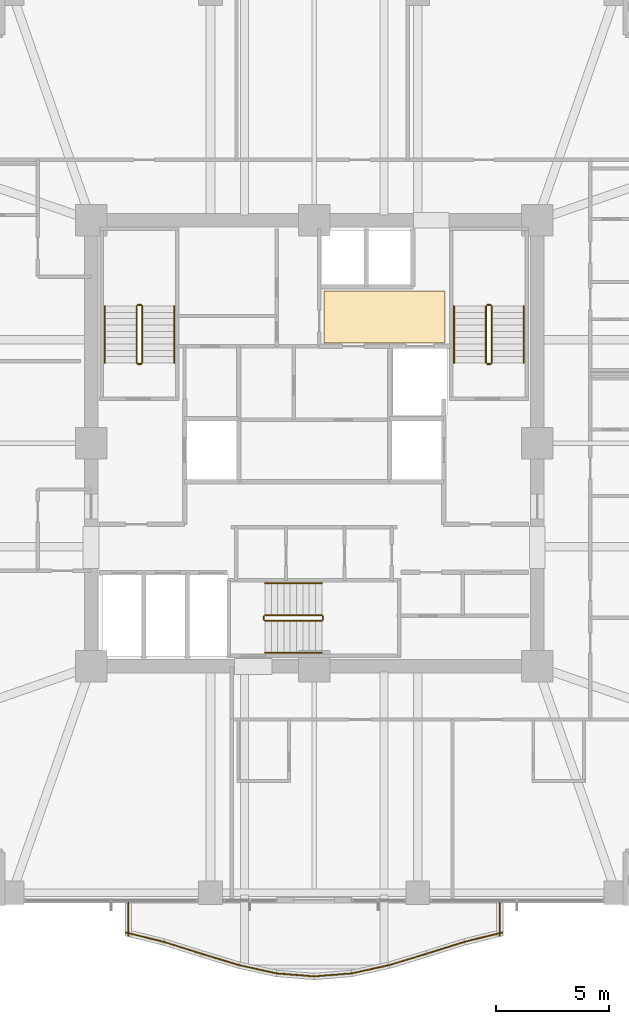
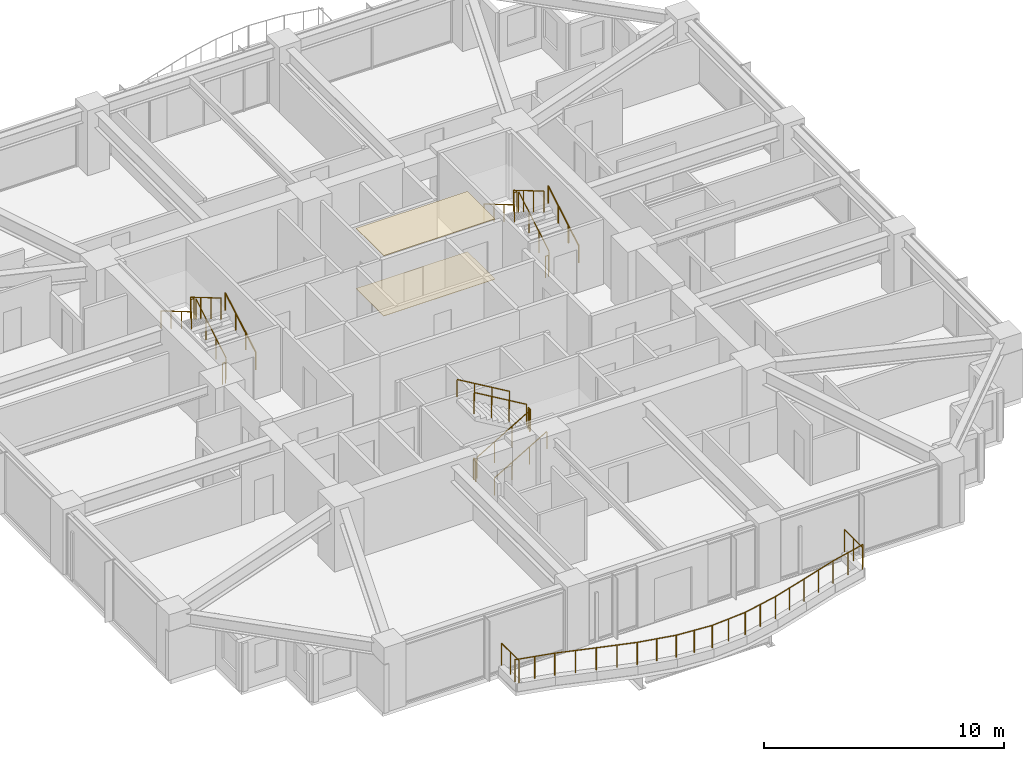
# One storey, part 37 of 38: 30 railings, 2 coverings.
"""IFC4 building model written with IfcOpenShell, lengths in metres."""

from ifc_helpers import new_model, si_unit, direction, frame, origin, origin_2d, place, context, subcontext, project, spatial, polyline, circle, outline, extrude, material, layer, layer_set, type_object, element, save


model = new_model("IFC4")

# Units and contexts
model_context = context("Model", 3, precision=1e-05, world=origin(), true_north=direction((0.0, 1.0)))
body_context = subcontext(model_context, "Body", "Model", "MODEL_VIEW")
ifc_project = project(units=[si_unit("LENGTHUNIT", "METRE"), si_unit("AREAUNIT", "SQUARE_METRE"), si_unit("VOLUMEUNIT", "CUBIC_METRE"), si_unit("PLANEANGLEUNIT", "RADIAN"), si_unit("MASSUNIT", "GRAM", prefix="KILO")], contexts=[model_context])

# Site, building, storey
site_placement = place(None, origin())
site = spatial("IfcSite", under=ifc_project, at=site_placement, CompositionType="ELEMENT")
building_placement = place(site_placement, origin())
building = spatial("IfcBuilding", under=site, at=building_placement, Name="Kolvaren Belvedere", CompositionType="ELEMENT")
storey_placement = place(building_placement, frame((0.0, 0.0, 98.60009765625)))
storey = spatial("IfcBuildingStorey", under=building, at=storey_placement, Name="L28", CompositionType="ELEMENT", Elevation=98.60009765625)

# Coverings
ifc_material_1 = material(Name="Acoustic perforated gypsum board", Category="gypsum")
ifc_layer_1 = layer(ifc_material_1, 0.02490234375)
ifc_layer_set_1 = layer_set([ifc_layer_1], Name="Acoustic perforated gypsum board")
covering_type_1 = type_object("IfcCoveringType", Name="COV-CEIL-GYP", PredefinedType="CEILING", material=ifc_layer_set_1)
covering_1_placement = place(storey_placement, frame((0.0, 0.0, 3.054931640625)))
element("IfcCovering", 1, at=covering_1_placement, inside=storey, type_object=covering_type_1, Name="L28 Lift Lobby Acoustic Baffle Ceiling", PredefinedType="CEILING", context=body_context, shape_type="SweptSolid", body=[
    extrude(outline(polyline([(0.449951171875, 4.449951171875), (5.800048828125, 4.449951171875), (5.800048828125, 6.75), (0.449951171875, 6.75), (0.449951171875, 4.449951171875)])), origin(), (0.0, 0.0, 1.0), 0.02490234375),
])
ifc_material_2 = material(Name="Engineered Pacific white oak", Category="timber")
ifc_layer_2 = layer(ifc_material_2, 0.02001953125)
ifc_layer_set_2 = layer_set([ifc_layer_2], Name="Engineered Pacific white oak")
covering_type_2 = type_object("IfcCoveringType", Name="COV-FLR-OAK", PredefinedType="FLOORING", material=ifc_layer_set_2)
covering_2_placement = place(storey_placement, origin())
element("IfcCovering", 2, at=covering_2_placement, inside=storey, type_object=covering_type_2, Name="L28 Lift Lobby Finish Flooring", PredefinedType="FLOORING", context=body_context, shape_type="SweptSolid", body=[
    extrude(outline(polyline([(0.449951171875, 4.449951171875), (5.800048828125, 4.449951171875), (5.800048828125, 6.75), (0.449951171875, 6.75), (0.449951171875, 4.449951171875)])), origin(), (0.0, 0.0, 1.0), 0.02001953125),
])

# Railings
ifc_material_3 = material(Name="Anodised pale-metal aluminium & laminated glass guard", Category="aluminium")
railing_type_1 = type_object("IfcRailingType", Name="RL-GUARD-1150", PredefinedType="GUARDRAIL", material=ifc_material_3)
railing_1_placement = place(storey_placement, frame((-8.36181640625, -21.7109375, 0.3798828125)))
element("IfcRailing", 3, at=railing_1_placement, inside=storey, type_object=railing_type_1, Name="L28 Exterior Deck Safety Guard BAL-S-1", PredefinedType="GUARDRAIL", context=body_context, shape_type="SweptSolid", body=[
    extrude(circle(Radius=0.02392578125, at=origin_2d()), frame((0.0, 0.0, 1.1259765625), z_axis=(0.970983132151, -0.239147981546, 0.0), x_axis=(0.239147981546, 0.970983132151, 0.0)), (0.0, 0.0, 1.0), 1.73046875),
    extrude(circle(Radius=0.02099609375, at=origin_2d()), origin(), (0.0, 0.0, 1.0), 1.101806640625),
    extrude(circle(Radius=0.02099609375, at=origin_2d()), frame((0.840087890625, -0.20703125, 0.0)), (0.0, 0.0, 1.0), 1.101806640625),
    extrude(circle(Radius=0.02099609375, at=origin_2d()), frame((1.68017578125, -0.413818359375, 0.0)), (0.0, 0.0, 1.0), 1.101806640625),
])
railing_2_placement = place(storey_placement, frame((-6.672119140625, -22.127685546875, 0.3798828125)))
element("IfcRailing", 4, at=railing_2_placement, inside=storey, type_object=railing_type_1, Name="L28 Exterior Deck Safety Guard BAL-S-2", PredefinedType="GUARDRAIL", context=body_context, shape_type="SweptSolid", body=[
    extrude(circle(Radius=0.02392578125, at=origin_2d()), frame((0.0, 0.0, 1.1259765625), z_axis=(0.954057149461, -0.299624691176, 0.0), x_axis=(0.299624691176, 0.954057149461, 0.0)), (0.0, 0.0, 1.0), 1.7607421875),
    extrude(circle(Radius=0.02099609375, at=origin_2d()), origin(), (0.0, 0.0, 1.0), 1.101806640625),
    extrude(circle(Radius=0.02099609375, at=origin_2d()), frame((0.83984375, -0.263671875, 0.0)), (0.0, 0.0, 1.0), 1.101806640625),
    extrude(circle(Radius=0.02099609375, at=origin_2d()), frame((1.679931640625, -0.527587890625, 0.0)), (0.0, 0.0, 1.0), 1.101806640625),
])
railing_3_placement = place(storey_placement, frame((-4.993408203125, -22.65478515625, 0.3798828125)))
element("IfcRailing", 5, at=railing_3_placement, inside=storey, type_object=railing_type_1, Name="L28 Exterior Deck Safety Guard BAL-S-3", PredefinedType="GUARDRAIL", context=body_context, shape_type="SweptSolid", body=[
    extrude(circle(Radius=0.02392578125, at=origin_2d()), frame((0.0, 0.0, 1.1259765625), z_axis=(0.956759718748, -0.290879426191, 0.0), x_axis=(0.290879426191, 0.956759718748, 0.0)), (0.0, 0.0, 1.0), 1.755859375),
    extrude(circle(Radius=0.02099609375, at=origin_2d()), origin(), (0.0, 0.0, 1.0), 1.101806640625),
    extrude(circle(Radius=0.02099609375, at=origin_2d()), frame((0.83984375, -0.25537109375, 0.0)), (0.0, 0.0, 1.0), 1.101806640625),
    extrude(circle(Radius=0.02099609375, at=origin_2d()), frame((1.679931640625, -0.5107421875, 0.0)), (0.0, 0.0, 1.0), 1.101806640625),
])
railing_4_placement = place(storey_placement, frame((-3.32568359375, -23.162353515625, 0.3798828125)))
element("IfcRailing", 6, at=railing_4_placement, inside=storey, type_object=railing_type_1, Name="L28 Exterior Deck Safety Guard BAL-S-4", PredefinedType="GUARDRAIL", context=body_context, shape_type="SweptSolid", body=[
    extrude(circle(Radius=0.02392578125, at=origin_2d()), frame((0.0, 0.0, 1.1259765625), z_axis=(0.976876857632, -0.213802724545, 0.0), x_axis=(0.213802724545, 0.976876857632, 0.0)), (0.0, 0.0, 1.0), 1.7197265625),
    extrude(circle(Radius=0.02099609375, at=origin_2d()), origin(), (0.0, 0.0, 1.0), 1.101806640625),
    extrude(circle(Radius=0.02099609375, at=origin_2d()), frame((0.83984375, -0.183837890625, 0.0)), (0.0, 0.0, 1.0), 1.101806640625),
    extrude(circle(Radius=0.02099609375, at=origin_2d()), frame((1.679931640625, -0.36767578125, 0.0)), (0.0, 0.0, 1.0), 1.101806640625),
])
railing_5_placement = place(storey_placement, frame((-1.667236328125, -23.52685546875, 0.3798828125)))
element("IfcRailing", 7, at=railing_5_placement, inside=storey, type_object=railing_type_1, Name="L28 Exterior Deck Safety Guard BAL-S-5", PredefinedType="GUARDRAIL", context=body_context, shape_type="SweptSolid", body=[
    extrude(circle(Radius=0.02392578125, at=origin_2d()), frame((0.0, 0.0, 1.1259765625), z_axis=(0.99685522818, -0.079244268248, 0.0), x_axis=(0.079244268248, 0.99685522818, 0.0)), (0.0, 0.0, 1.0), 1.685302734375),
    extrude(circle(Radius=0.02099609375, at=origin_2d()), origin(), (0.0, 0.0, 1.0), 1.101806640625),
    extrude(circle(Radius=0.02099609375, at=origin_2d()), frame((0.83984375, -0.06689453125, 0.0)), (0.0, 0.0, 1.0), 1.101806640625),
    extrude(circle(Radius=0.02099609375, at=origin_2d()), frame((1.679931640625, -0.133544921875, 0.0)), (0.0, 0.0, 1.0), 1.101806640625),
])
railing_6_placement = place(storey_placement, frame((-0.0126953125, -23.660400390625, 0.3798828125)))
element("IfcRailing", 8, at=railing_6_placement, inside=storey, type_object=railing_type_1, Name="L28 Exterior Deck Safety Guard BAL-S-6", PredefinedType="GUARDRAIL", context=body_context, shape_type="SweptSolid", body=[
    extrude(circle(Radius=0.02392578125, at=origin_2d()), frame((0.0, 0.0, 1.1259765625), z_axis=(0.99685522818, 0.079244268248, 0.0), x_axis=(-0.079244268248, 0.99685522818, 0.0)), (0.0, 0.0, 1.0), 1.685302734375),
    extrude(circle(Radius=0.02099609375, at=origin_2d()), origin(), (0.0, 0.0, 1.0), 1.101806640625),
    extrude(circle(Radius=0.02099609375, at=origin_2d()), frame((0.83984375, 0.06689453125, 0.0)), (0.0, 0.0, 1.0), 1.101806640625),
    extrude(circle(Radius=0.02099609375, at=origin_2d()), frame((1.679931640625, 0.133544921875, 0.0)), (0.0, 0.0, 1.0), 1.101806640625),
])
railing_7_placement = place(storey_placement, frame((1.645751953125, -23.530029296875, 0.3798828125)))
element("IfcRailing", 9, at=railing_7_placement, inside=storey, type_object=railing_type_1, Name="L28 Exterior Deck Safety Guard BAL-S-7", PredefinedType="GUARDRAIL", context=body_context, shape_type="SweptSolid", body=[
    extrude(circle(Radius=0.02392578125, at=origin_2d()), frame((0.0, 0.0, 1.1259765625), z_axis=(0.976876857632, 0.213802724545, 0.0), x_axis=(-0.213802724545, 0.976876857632, 0.0)), (0.0, 0.0, 1.0), 1.7197265625),
    extrude(circle(Radius=0.02099609375, at=origin_2d()), origin(), (0.0, 0.0, 1.0), 1.101806640625),
    extrude(circle(Radius=0.02099609375, at=origin_2d()), frame((0.83984375, 0.183837890625, 0.0)), (0.0, 0.0, 1.0), 1.101806640625),
    extrude(circle(Radius=0.02099609375, at=origin_2d()), frame((1.679931640625, 0.36767578125, 0.0)), (0.0, 0.0, 1.0), 1.101806640625),
])
railing_8_placement = place(storey_placement, frame((3.3134765625, -23.16552734375, 0.3798828125)))
element("IfcRailing", 10, at=railing_8_placement, inside=storey, type_object=railing_type_1, Name="L28 Exterior Deck Safety Guard BAL-S-8", PredefinedType="GUARDRAIL", context=body_context, shape_type="SweptSolid", body=[
    extrude(circle(Radius=0.02392578125, at=origin_2d()), frame((0.0, 0.0, 1.1259765625), z_axis=(0.956759718748, 0.290879426191, 0.0), x_axis=(-0.290879426191, 0.956759718748, 0.0)), (0.0, 0.0, 1.0), 1.755859375),
    extrude(circle(Radius=0.02099609375, at=origin_2d()), origin(), (0.0, 0.0, 1.0), 1.101806640625),
    extrude(circle(Radius=0.02099609375, at=origin_2d()), frame((0.83984375, 0.25537109375, 0.0)), (0.0, 0.0, 1.0), 1.101806640625),
    extrude(circle(Radius=0.02099609375, at=origin_2d()), frame((1.679931640625, 0.5107421875, 0.0)), (0.0, 0.0, 1.0), 1.101806640625),
])
railing_9_placement = place(storey_placement, frame((4.9921875, -22.6552734375, 0.3798828125)))
element("IfcRailing", 11, at=railing_9_placement, inside=storey, type_object=railing_type_1, Name="L28 Exterior Deck Safety Guard BAL-S-9", PredefinedType="GUARDRAIL", context=body_context, shape_type="SweptSolid", body=[
    extrude(circle(Radius=0.02392578125, at=origin_2d()), frame((0.0, 0.0, 1.1259765625), z_axis=(0.954057149461, 0.299624691176, 0.0), x_axis=(-0.299624691176, 0.954057149461, 0.0)), (0.0, 0.0, 1.0), 1.7607421875),
    extrude(circle(Radius=0.02099609375, at=origin_2d()), origin(), (0.0, 0.0, 1.0), 1.101806640625),
    extrude(circle(Radius=0.02099609375, at=origin_2d()), frame((0.83984375, 0.263671875, 0.0)), (0.0, 0.0, 1.0), 1.101806640625),
    extrude(circle(Radius=0.02099609375, at=origin_2d()), frame((1.679931640625, 0.527587890625, 0.0)), (0.0, 0.0, 1.0), 1.101806640625),
])
railing_10_placement = place(storey_placement, frame((6.681640625, -22.124755859375, 0.3798828125)))
element("IfcRailing", 12, at=railing_10_placement, inside=storey, type_object=railing_type_1, Name="L28 Exterior Deck Safety Guard BAL-S-10", PredefinedType="GUARDRAIL", context=body_context, shape_type="SweptSolid", body=[
    extrude(circle(Radius=0.02392578125, at=origin_2d()), frame((0.0, 0.0, 1.1259765625), z_axis=(0.970983132151, 0.239147981546, 0.0), x_axis=(-0.239147981546, 0.970983132151, 0.0)), (0.0, 0.0, 1.0), 1.73046875),
    extrude(circle(Radius=0.02099609375, at=origin_2d()), origin(), (0.0, 0.0, 1.0), 1.101806640625),
    extrude(circle(Radius=0.02099609375, at=origin_2d()), frame((0.840087890625, 0.20703125, 0.0)), (0.0, 0.0, 1.0), 1.101806640625),
    extrude(circle(Radius=0.02099609375, at=origin_2d()), frame((1.68017578125, 0.413818359375, 0.0)), (0.0, 0.0, 1.0), 1.101806640625),
])
railing_11_placement = place(storey_placement, frame((8.239990234375, -21.8662109375, 0.3798828125)))
element("IfcRailing", 13, at=railing_11_placement, inside=storey, type_object=railing_type_1, Name="L28 Exterior Deck Safety Guard BAL-S-11", PredefinedType="GUARDRAIL", context=body_context, shape_type="SweptSolid", body=[
    extrude(circle(Radius=0.02392578125, at=origin_2d()), frame((0.0, 0.0, 1.1259765625), z_axis=(0.0, 1.0, 0.0), x_axis=(-1.0, 0.0, 0.0)), (0.0, 0.0, 1.0), 1.46630859375),
    extrude(circle(Radius=0.02099609375, at=origin_2d()), origin(), (0.0, 0.0, 1.0), 1.101806640625),
    extrude(circle(Radius=0.02099609375, at=origin_2d()), frame((0.0, 0.733154296875, 0.0)), (0.0, 0.0, 1.0), 1.101806640625),
    extrude(circle(Radius=0.02099609375, at=origin_2d()), frame((0.0, 1.46630859375, 0.0)), (0.0, 0.0, 1.0), 1.101806640625),
])
railing_12_placement = place(storey_placement, frame((-8.239990234375, -20.39990234375, 0.3798828125)))
element("IfcRailing", 14, at=railing_12_placement, inside=storey, type_object=railing_type_1, Name="L28 Exterior Deck Safety Guard BAL-S-22", PredefinedType="GUARDRAIL", context=body_context, shape_type="SweptSolid", body=[
    extrude(circle(Radius=0.02392578125, at=origin_2d()), frame((0.0, 0.0, 1.1259765625), z_axis=(0.0, -1.0, 0.0), x_axis=(1.0, 0.0, 0.0)), (0.0, 0.0, 1.0), 1.46630859375),
    extrude(circle(Radius=0.02099609375, at=origin_2d()), origin(), (0.0, 0.0, 1.0), 1.101806640625),
    extrude(circle(Radius=0.02099609375, at=origin_2d()), frame((0.0, -0.733154296875, 0.0)), (0.0, 0.0, 1.0), 1.101806640625),
    extrude(circle(Radius=0.02099609375, at=origin_2d()), frame((0.0, -1.46630859375, 0.0)), (0.0, 0.0, 1.0), 1.101806640625),
])
ifc_material_4 = material(Name="Brushed stainless-steel handrail", Category="steel")
railing_type_2 = type_object("IfcRailingType", Name="RL-HANDRAIL-920", PredefinedType="HANDRAIL", material=ifc_material_4)
railing_13_placement = place(storey_placement, frame((-6.2099609375, 3.570068359375, 0.164794921875)))
element("IfcRailing", 15, at=railing_13_placement, inside=storey, type_object=railing_type_2, Name="L28 ST-1 stair handrail 1", PredefinedType="HANDRAIL", context=body_context, shape_type="SweptSolid", body=[
    extrude(circle(Radius=0.02392578125, at=origin_2d()), frame((0.0, 0.0, 0.8759765625), z_axis=(0.0, 0.86152411907, 0.507716645641), x_axis=(-1.0, 0.0, 0.0)), (0.0, 0.0, 1.0), 2.925048828125),
    extrude(circle(Radius=0.02099609375, at=origin_2d()), origin(), (0.0, 0.0, 1.0), 0.851806640625),
    extrude(circle(Radius=0.02099609375, at=origin_2d()), frame((0.0, 0.840087890625, 0.4951171875)), (0.0, 0.0, 1.0), 0.851806640625),
    extrude(circle(Radius=0.02099609375, at=origin_2d()), frame((0.0, 1.679931640625, 0.989990234375)), (0.0, 0.0, 1.0), 0.851806640625),
    extrude(circle(Radius=0.02099609375, at=origin_2d()), frame((0.0, 2.52001953125, 1.485107421875)), (0.0, 0.0, 1.0), 0.851806640625),
])
railing_14_placement = place(storey_placement, frame((-9.300048828125, 6.090087890625, 1.81494140625)))
element("IfcRailing", 16, at=railing_14_placement, inside=storey, type_object=railing_type_2, Name="L28 ST-1 stair handrail 2", PredefinedType="HANDRAIL", context=body_context, shape_type="SweptSolid", body=[
    extrude(circle(Radius=0.02392578125, at=origin_2d()), frame((0.0, 0.0, 0.8759765625), z_axis=(0.0, -0.861560626758, 0.507654692109), x_axis=(1.0, 0.0, 0.0)), (0.0, 0.0, 1.0), 2.925048828125),
    extrude(circle(Radius=0.02099609375, at=origin_2d()), origin(), (0.0, 0.0, 1.0), 0.851806640625),
    extrude(circle(Radius=0.02099609375, at=origin_2d()), frame((0.0, -0.840087890625, 0.494873046875)), (0.0, 0.0, 1.0), 0.851806640625),
    extrude(circle(Radius=0.02099609375, at=origin_2d()), frame((0.0, -1.679931640625, 0.989990234375)), (0.0, 0.0, 1.0), 0.851806640625),
    extrude(circle(Radius=0.02099609375, at=origin_2d()), frame((0.0, -2.52001953125, 1.48486328125)), (0.0, 0.0, 1.0), 0.851806640625),
])
railing_15_placement = place(storey_placement, frame((9.300048828125, 3.570068359375, 0.164794921875)))
element("IfcRailing", 17, at=railing_15_placement, inside=storey, type_object=railing_type_2, Name="L28 ST-2 stair handrail 1", PredefinedType="HANDRAIL", context=body_context, shape_type="SweptSolid", body=[
    extrude(circle(Radius=0.02392578125, at=origin_2d()), frame((0.0, 0.0, 0.8759765625), z_axis=(0.0, 0.86152411907, 0.507716645641), x_axis=(-1.0, 0.0, 0.0)), (0.0, 0.0, 1.0), 2.925048828125),
    extrude(circle(Radius=0.02099609375, at=origin_2d()), origin(), (0.0, 0.0, 1.0), 0.851806640625),
    extrude(circle(Radius=0.02099609375, at=origin_2d()), frame((0.0, 0.840087890625, 0.4951171875)), (0.0, 0.0, 1.0), 0.851806640625),
    extrude(circle(Radius=0.02099609375, at=origin_2d()), frame((0.0, 1.679931640625, 0.989990234375)), (0.0, 0.0, 1.0), 0.851806640625),
    extrude(circle(Radius=0.02099609375, at=origin_2d()), frame((0.0, 2.52001953125, 1.485107421875)), (0.0, 0.0, 1.0), 0.851806640625),
])
railing_16_placement = place(storey_placement, frame((6.2099609375, 6.090087890625, 1.81494140625)))
element("IfcRailing", 18, at=railing_16_placement, inside=storey, type_object=railing_type_2, Name="L28 ST-2 stair handrail 2", PredefinedType="HANDRAIL", context=body_context, shape_type="SweptSolid", body=[
    extrude(circle(Radius=0.02392578125, at=origin_2d()), frame((0.0, 0.0, 0.8759765625), z_axis=(0.0, -0.861560626758, 0.507654692109), x_axis=(1.0, 0.0, 0.0)), (0.0, 0.0, 1.0), 2.925048828125),
    extrude(circle(Radius=0.02099609375, at=origin_2d()), origin(), (0.0, 0.0, 1.0), 0.851806640625),
    extrude(circle(Radius=0.02099609375, at=origin_2d()), frame((0.0, -0.840087890625, 0.494873046875)), (0.0, 0.0, 1.0), 0.851806640625),
    extrude(circle(Radius=0.02099609375, at=origin_2d()), frame((0.0, -1.679931640625, 0.989990234375)), (0.0, 0.0, 1.0), 0.851806640625),
    extrude(circle(Radius=0.02099609375, at=origin_2d()), frame((0.0, -2.52001953125, 1.48486328125)), (0.0, 0.0, 1.0), 0.851806640625),
])
railing_17_placement = place(storey_placement, frame((-2.179931640625, -9.300048828125, 0.164794921875)))
element("IfcRailing", 19, at=railing_17_placement, inside=storey, type_object=railing_type_2, Name="L28 ST-3 stair handrail 1", PredefinedType="HANDRAIL", context=body_context, shape_type="SweptSolid", body=[
    extrude(circle(Radius=0.02392578125, at=origin_2d()), frame((0.0, 0.0, 0.8759765625), z_axis=(0.86152411907, 0.0, 0.507716645641), x_axis=(0.0, 1.0, 0.0)), (0.0, 0.0, 1.0), 2.925048828125),
    extrude(circle(Radius=0.02099609375, at=origin_2d()), origin(), (0.0, 0.0, 1.0), 0.851806640625),
    extrude(circle(Radius=0.02099609375, at=origin_2d()), frame((0.840087890625, 0.0, 0.4951171875)), (0.0, 0.0, 1.0), 0.851806640625),
    extrude(circle(Radius=0.02099609375, at=origin_2d()), frame((1.679931640625, 0.0, 0.989990234375)), (0.0, 0.0, 1.0), 0.851806640625),
    extrude(circle(Radius=0.02099609375, at=origin_2d()), frame((2.52001953125, 0.0, 1.485107421875)), (0.0, 0.0, 1.0), 0.851806640625),
])
railing_18_placement = place(storey_placement, frame((0.340087890625, -6.2099609375, 1.81494140625)))
element("IfcRailing", 20, at=railing_18_placement, inside=storey, type_object=railing_type_2, Name="L28 ST-3 stair handrail 2", PredefinedType="HANDRAIL", context=body_context, shape_type="SweptSolid", body=[
    extrude(circle(Radius=0.02392578125, at=origin_2d()), frame((0.0, 0.0, 0.8759765625), z_axis=(-0.861560626758, 0.0, 0.507654692109), x_axis=(0.0, -1.0, 0.0)), (0.0, 0.0, 1.0), 2.925048828125),
    extrude(circle(Radius=0.02099609375, at=origin_2d()), origin(), (0.0, 0.0, 1.0), 0.851806640625),
    extrude(circle(Radius=0.02099609375, at=origin_2d()), frame((-0.840087890625, 0.0, 0.494873046875)), (0.0, 0.0, 1.0), 0.851806640625),
    extrude(circle(Radius=0.02099609375, at=origin_2d()), frame((-1.679931640625, 0.0, 0.989990234375)), (0.0, 0.0, 1.0), 0.851806640625),
    extrude(circle(Radius=0.02099609375, at=origin_2d()), frame((-2.52001953125, 0.0, 1.48486328125)), (0.0, 0.0, 1.0), 0.851806640625),
])
ifc_material_5 = material(Name="Painted tubular steel stair guard", Category="steel")
railing_type_3 = type_object("IfcRailingType", Name="RL-STGUARD-1100", PredefinedType="GUARDRAIL", material=ifc_material_5)
railing_19_placement = place(storey_placement, frame((-7.6298828125, 3.570068359375, 0.164794921875)))
element("IfcRailing", 21, at=railing_19_placement, inside=storey, type_object=railing_type_3, Name="L28 ST-1 stair guard 1", PredefinedType="GUARDRAIL", context=body_context, shape_type="SweptSolid", body=[
    extrude(circle(Radius=0.02392578125, at=origin_2d()), frame((0.0, 0.0, 1.076171875), z_axis=(0.0, 0.86152411907, 0.507716645641), x_axis=(-1.0, 0.0, 0.0)), (0.0, 0.0, 1.0), 2.925048828125),
    extrude(circle(Radius=0.02099609375, at=origin_2d()), origin(), (0.0, 0.0, 1.0), 1.052001953125),
    extrude(circle(Radius=0.02099609375, at=origin_2d()), frame((0.0, 0.840087890625, 0.4951171875)), (0.0, 0.0, 1.0), 1.052001953125),
    extrude(circle(Radius=0.02099609375, at=origin_2d()), frame((0.0, 1.679931640625, 0.989990234375)), (0.0, 0.0, 1.0), 1.052001953125),
    extrude(circle(Radius=0.02099609375, at=origin_2d()), frame((0.0, 2.52001953125, 1.485107421875)), (0.0, 0.0, 1.0), 1.052001953125),
])
railing_20_placement = place(storey_placement, frame((-7.679931640625, 6.139892578125, 1.64990234375)))
element("IfcRailing", 22, at=railing_20_placement, inside=storey, type_object=railing_type_3, Name="L28 ST-1 stair guard 2", PredefinedType="GUARDRAIL", context=body_context, shape_type="SweptSolid", body=[
    extrude(circle(Radius=0.02392578125, at=origin_2d()), frame((0.0, 0.0, 1.076171875), z_axis=(-1.0, 0.0, 0.0), x_axis=(0.0, -1.0, 0.0)), (0.0, 0.0, 1.0), 0.150146484375),
    extrude(circle(Radius=0.02099609375, at=origin_2d()), origin(), (0.0, 0.0, 1.0), 1.052001953125),
    extrude(circle(Radius=0.02099609375, at=origin_2d()), frame((-0.150146484375, 0.0, 0.0)), (0.0, 0.0, 1.0), 1.052001953125),
])
railing_21_placement = place(storey_placement, frame((-7.8798828125, 6.090087890625, 1.81494140625)))
element("IfcRailing", 23, at=railing_21_placement, inside=storey, type_object=railing_type_3, Name="L28 ST-1 stair guard 3", PredefinedType="GUARDRAIL", context=body_context, shape_type="SweptSolid", body=[
    extrude(circle(Radius=0.02392578125, at=origin_2d()), frame((0.0, 0.0, 1.076171875), z_axis=(0.0, -0.861560626758, 0.507654692109), x_axis=(1.0, 0.0, 0.0)), (0.0, 0.0, 1.0), 2.925048828125),
    extrude(circle(Radius=0.02099609375, at=origin_2d()), origin(), (0.0, 0.0, 1.0), 1.052001953125),
    extrude(circle(Radius=0.02099609375, at=origin_2d()), frame((0.0, -0.840087890625, 0.494873046875)), (0.0, 0.0, 1.0), 1.052001953125),
    extrude(circle(Radius=0.02099609375, at=origin_2d()), frame((0.0, -1.679931640625, 0.989990234375)), (0.0, 0.0, 1.0), 1.052001953125),
    extrude(circle(Radius=0.02099609375, at=origin_2d()), frame((0.0, -2.52001953125, 1.48486328125)), (0.0, 0.0, 1.0), 1.052001953125),
])
railing_22_placement = place(storey_placement, frame((-7.679931640625, 3.52001953125, 0.0)))
element("IfcRailing", 24, at=railing_22_placement, inside=storey, type_object=railing_type_3, Name="L28 ST-1 stair guard 4", PredefinedType="GUARDRAIL", context=body_context, shape_type="SweptSolid", body=[
    extrude(circle(Radius=0.02392578125, at=origin_2d()), frame((0.0, 0.0, 1.076171875), z_axis=(-1.0, 0.0, 0.0), x_axis=(0.0, -1.0, 0.0)), (0.0, 0.0, 1.0), 0.150146484375),
    extrude(circle(Radius=0.02099609375, at=origin_2d()), origin(), (0.0, 0.0, 1.0), 1.052001953125),
    extrude(circle(Radius=0.02099609375, at=origin_2d()), frame((-0.150146484375, 0.0, 0.0)), (0.0, 0.0, 1.0), 1.052001953125),
])
railing_23_placement = place(storey_placement, frame((7.8798828125, 3.570068359375, 0.164794921875)))
element("IfcRailing", 25, at=railing_23_placement, inside=storey, type_object=railing_type_3, Name="L28 ST-2 stair guard 1", PredefinedType="GUARDRAIL", context=body_context, shape_type="SweptSolid", body=[
    extrude(circle(Radius=0.02392578125, at=origin_2d()), frame((0.0, 0.0, 1.076171875), z_axis=(0.0, 0.86152411907, 0.507716645641), x_axis=(-1.0, 0.0, 0.0)), (0.0, 0.0, 1.0), 2.925048828125),
    extrude(circle(Radius=0.02099609375, at=origin_2d()), origin(), (0.0, 0.0, 1.0), 1.052001953125),
    extrude(circle(Radius=0.02099609375, at=origin_2d()), frame((0.0, 0.840087890625, 0.4951171875)), (0.0, 0.0, 1.0), 1.052001953125),
    extrude(circle(Radius=0.02099609375, at=origin_2d()), frame((0.0, 1.679931640625, 0.989990234375)), (0.0, 0.0, 1.0), 1.052001953125),
    extrude(circle(Radius=0.02099609375, at=origin_2d()), frame((0.0, 2.52001953125, 1.485107421875)), (0.0, 0.0, 1.0), 1.052001953125),
])
railing_24_placement = place(storey_placement, frame((7.830078125, 6.139892578125, 1.64990234375)))
element("IfcRailing", 26, at=railing_24_placement, inside=storey, type_object=railing_type_3, Name="L28 ST-2 stair guard 2", PredefinedType="GUARDRAIL", context=body_context, shape_type="SweptSolid", body=[
    extrude(circle(Radius=0.02392578125, at=origin_2d()), frame((0.0, 0.0, 1.076171875), z_axis=(-1.0, 0.0, 0.0), x_axis=(0.0, -1.0, 0.0)), (0.0, 0.0, 1.0), 0.150146484375),
    extrude(circle(Radius=0.02099609375, at=origin_2d()), origin(), (0.0, 0.0, 1.0), 1.052001953125),
    extrude(circle(Radius=0.02099609375, at=origin_2d()), frame((-0.150146484375, 0.0, 0.0)), (0.0, 0.0, 1.0), 1.052001953125),
])
railing_25_placement = place(storey_placement, frame((7.6298828125, 6.090087890625, 1.81494140625)))
element("IfcRailing", 27, at=railing_25_placement, inside=storey, type_object=railing_type_3, Name="L28 ST-2 stair guard 3", PredefinedType="GUARDRAIL", context=body_context, shape_type="SweptSolid", body=[
    extrude(circle(Radius=0.02392578125, at=origin_2d()), frame((0.0, 0.0, 1.076171875), z_axis=(0.0, -0.861560626758, 0.507654692109), x_axis=(1.0, 0.0, 0.0)), (0.0, 0.0, 1.0), 2.925048828125),
    extrude(circle(Radius=0.02099609375, at=origin_2d()), origin(), (0.0, 0.0, 1.0), 1.052001953125),
    extrude(circle(Radius=0.02099609375, at=origin_2d()), frame((0.0, -0.840087890625, 0.494873046875)), (0.0, 0.0, 1.0), 1.052001953125),
    extrude(circle(Radius=0.02099609375, at=origin_2d()), frame((0.0, -1.679931640625, 0.989990234375)), (0.0, 0.0, 1.0), 1.052001953125),
    extrude(circle(Radius=0.02099609375, at=origin_2d()), frame((0.0, -2.52001953125, 1.48486328125)), (0.0, 0.0, 1.0), 1.052001953125),
])
railing_26_placement = place(storey_placement, frame((7.830078125, 3.52001953125, 0.0)))
element("IfcRailing", 28, at=railing_26_placement, inside=storey, type_object=railing_type_3, Name="L28 ST-2 stair guard 4", PredefinedType="GUARDRAIL", context=body_context, shape_type="SweptSolid", body=[
    extrude(circle(Radius=0.02392578125, at=origin_2d()), frame((0.0, 0.0, 1.076171875), z_axis=(-1.0, 0.0, 0.0), x_axis=(0.0, -1.0, 0.0)), (0.0, 0.0, 1.0), 0.150146484375),
    extrude(circle(Radius=0.02099609375, at=origin_2d()), origin(), (0.0, 0.0, 1.0), 1.052001953125),
    extrude(circle(Radius=0.02099609375, at=origin_2d()), frame((-0.150146484375, 0.0, 0.0)), (0.0, 0.0, 1.0), 1.052001953125),
])
railing_27_placement = place(storey_placement, frame((-2.179931640625, -7.8798828125, 0.164794921875)))
element("IfcRailing", 29, at=railing_27_placement, inside=storey, type_object=railing_type_3, Name="L28 ST-3 stair guard 1", PredefinedType="GUARDRAIL", context=body_context, shape_type="SweptSolid", body=[
    extrude(circle(Radius=0.02392578125, at=origin_2d()), frame((0.0, 0.0, 1.076171875), z_axis=(0.86152411907, 0.0, 0.507716645641), x_axis=(0.0, 1.0, 0.0)), (0.0, 0.0, 1.0), 2.925048828125),
    extrude(circle(Radius=0.02099609375, at=origin_2d()), origin(), (0.0, 0.0, 1.0), 1.052001953125),
    extrude(circle(Radius=0.02099609375, at=origin_2d()), frame((0.840087890625, 0.0, 0.4951171875)), (0.0, 0.0, 1.0), 1.052001953125),
    extrude(circle(Radius=0.02099609375, at=origin_2d()), frame((1.679931640625, 0.0, 0.989990234375)), (0.0, 0.0, 1.0), 1.052001953125),
    extrude(circle(Radius=0.02099609375, at=origin_2d()), frame((2.52001953125, 0.0, 1.485107421875)), (0.0, 0.0, 1.0), 1.052001953125),
])
railing_28_placement = place(storey_placement, frame((0.389892578125, -7.830078125, 1.64990234375)))
element("IfcRailing", 30, at=railing_28_placement, inside=storey, type_object=railing_type_3, Name="L28 ST-3 stair guard 2", PredefinedType="GUARDRAIL", context=body_context, shape_type="SweptSolid", body=[
    extrude(circle(Radius=0.02392578125, at=origin_2d()), frame((0.0, 0.0, 1.076171875), z_axis=(0.0, 1.0, 0.0), x_axis=(-1.0, 0.0, 0.0)), (0.0, 0.0, 1.0), 0.150146484375),
    extrude(circle(Radius=0.02099609375, at=origin_2d()), origin(), (0.0, 0.0, 1.0), 1.052001953125),
    extrude(circle(Radius=0.02099609375, at=origin_2d()), frame((0.0, 0.150146484375, 0.0)), (0.0, 0.0, 1.0), 1.052001953125),
])
railing_29_placement = place(storey_placement, frame((0.340087890625, -7.6298828125, 1.81494140625)))
element("IfcRailing", 31, at=railing_29_placement, inside=storey, type_object=railing_type_3, Name="L28 ST-3 stair guard 3", PredefinedType="GUARDRAIL", context=body_context, shape_type="SweptSolid", body=[
    extrude(circle(Radius=0.02392578125, at=origin_2d()), frame((0.0, 0.0, 1.076171875), z_axis=(-0.861560626758, 0.0, 0.507654692109), x_axis=(0.0, -1.0, 0.0)), (0.0, 0.0, 1.0), 2.925048828125),
    extrude(circle(Radius=0.02099609375, at=origin_2d()), origin(), (0.0, 0.0, 1.0), 1.052001953125),
    extrude(circle(Radius=0.02099609375, at=origin_2d()), frame((-0.840087890625, 0.0, 0.494873046875)), (0.0, 0.0, 1.0), 1.052001953125),
    extrude(circle(Radius=0.02099609375, at=origin_2d()), frame((-1.679931640625, 0.0, 0.989990234375)), (0.0, 0.0, 1.0), 1.052001953125),
    extrude(circle(Radius=0.02099609375, at=origin_2d()), frame((-2.52001953125, 0.0, 1.48486328125)), (0.0, 0.0, 1.0), 1.052001953125),
])
railing_30_placement = place(storey_placement, frame((-2.22998046875, -7.830078125, 0.0)))
element("IfcRailing", 32, at=railing_30_placement, inside=storey, type_object=railing_type_3, Name="L28 ST-3 stair guard 4", PredefinedType="GUARDRAIL", context=body_context, shape_type="SweptSolid", body=[
    extrude(circle(Radius=0.02392578125, at=origin_2d()), frame((0.0, 0.0, 1.076171875), z_axis=(0.0, 1.0, 0.0), x_axis=(-1.0, 0.0, 0.0)), (0.0, 0.0, 1.0), 0.150146484375),
    extrude(circle(Radius=0.02099609375, at=origin_2d()), origin(), (0.0, 0.0, 1.0), 1.052001953125),
    extrude(circle(Radius=0.02099609375, at=origin_2d()), frame((0.0, 0.150146484375, 0.0)), (0.0, 0.0, 1.0), 1.052001953125),
])

save(model, "model.ifc")
